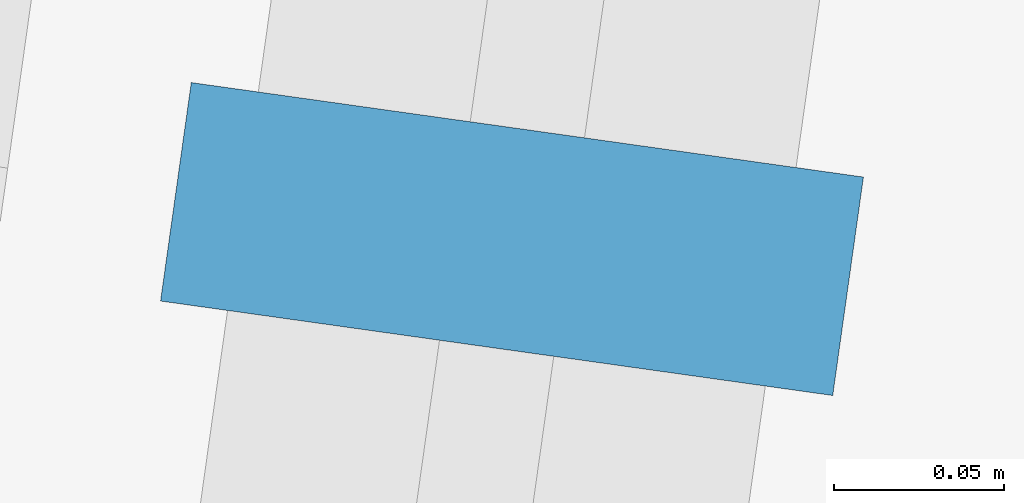
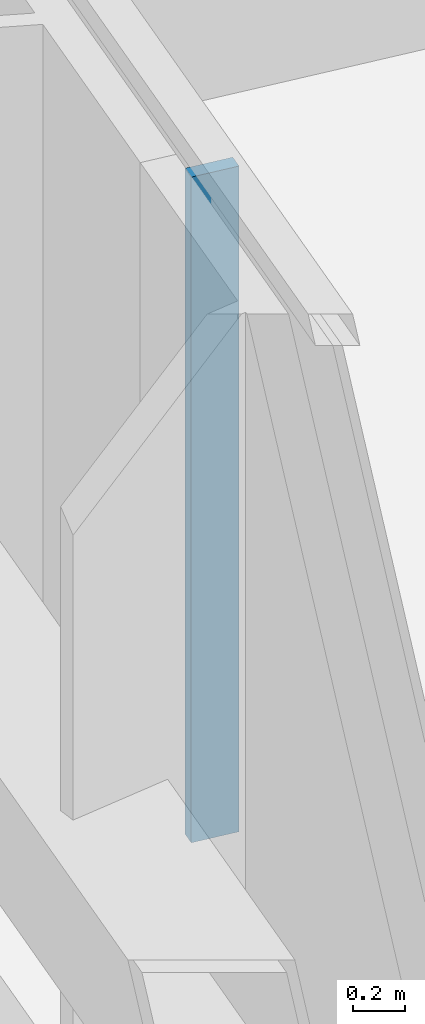
# One storey, part 4 of 26: 1 member, 1 element without a shape of its own.
"""IFC4 building model written with IfcOpenShell, lengths in metres."""

import ifcopenshell
import ifcopenshell.guid

model = None  # the IFC model being written
_history = None  # IfcOwnerHistory: only IFC2X3 demands one
_inside = {}  # id of a spatial element -> (the spatial element, [elements in it])
_under = {}  # id of a project, library or spatial element -> (it, [spatial elements below it])
_declared = {}  # id of a project -> (the project, [libraries it declares])
_typed = {}  # id of a type object -> (the type object, [elements of that type])
_made_of = {}  # id of a material, layer set ... -> (it, [elements and type objects made of it])


def new_model(schema):
    """Start an empty IFC model of exactly this schema.

    Asked for "IFC4X3", IfcOpenShell would pick the latest addendum, in which some entities
    have other attributes; the version numbers below select the first issue.
    IFC2X3 requires an IfcOwnerHistory on every rooted entity: one is made here for all.
    """
    global model, _history
    if schema == "IFC4X3":
        model = ifcopenshell.file(schema_version=(4, 3, 0, 0))
    else:
        model = ifcopenshell.file(schema=schema)
    _inside.clear()
    _under.clear()
    _declared.clear()
    _typed.clear()
    _made_of.clear()
    _history = None
    if model.schema == "IFC2X3":
        org = make("IfcOrganization", Name="unknown")
        user = make(
            "IfcPersonAndOrganization",
            ThePerson=make("IfcPerson", FamilyName="unknown"),
            TheOrganization=org,
        )
        app = make(
            "IfcApplication",
            ApplicationDeveloper=org,
            Version="unknown",
            ApplicationFullName="unknown",
            ApplicationIdentifier="unknown",
        )
        _history = make(
            "IfcOwnerHistory",
            OwningUser=user,
            OwningApplication=app,
            ChangeAction="ADDED",
            CreationDate=0,
        )
    return model


def make(cls, **values):
    """One entity of the class cls with the attributes given. An attribute that is None is left unset."""
    return model.create_entity(
        cls, **{name: value for name, value in values.items() if value is not None}
    )


def rooted(cls, **values):
    """An entity with a GlobalId (a new one), such as an element, a storey or a relation."""
    return make(cls, GlobalId=ifcopenshell.guid.new(), OwnerHistory=_history, **values)


def si_unit(unit_type, name, prefix=None):
    """IfcSIUnit, for example si_unit("LENGTHUNIT", "METRE", prefix="MILLI")."""
    return make("IfcSIUnit", UnitType=unit_type, Prefix=prefix, Name=name)


def assignment(units):
    """IfcUnitAssignment: the units of a project."""
    return None if units is None else make("IfcUnitAssignment", Units=units)


def point(xyz):
    """IfcCartesianPoint."""
    return None if xyz is None else make("IfcCartesianPoint", Coordinates=xyz)


def direction(xyz):
    """IfcDirection."""
    return None if xyz is None else make("IfcDirection", DirectionRatios=xyz)


def frame(location, z_axis=None, x_axis=None):
    """IfcAxis2Placement3D, a coordinate frame: its origin and axes. An axis left out is left unset."""
    return make(
        "IfcAxis2Placement3D",
        Location=point(location),
        Axis=direction(z_axis),
        RefDirection=direction(x_axis),
    )


def frame_2d(location, x_axis=None):
    """IfcAxis2Placement2D, a coordinate frame in the plane: its origin and x axis."""
    return make(
        "IfcAxis2Placement2D", Location=point(location), RefDirection=direction(x_axis)
    )


def origin():
    """The frame at (0, 0, 0) with its axes left unset."""
    return frame((0.0, 0.0, 0.0))


def origin_2d():
    """The frame at (0, 0) in the plane with its x axis left unset."""
    return frame_2d((0.0, 0.0))


def place(relative_to, where):
    """IfcLocalPlacement: puts the frame where relative to a parent placement (None: the world)."""
    return make(
        "IfcLocalPlacement", PlacementRelTo=relative_to, RelativePlacement=where
    )


def context(
    kind, dimensions, precision=None, world=None, true_north=None, identifier=None
):
    """IfcGeometricRepresentationContext, for example the 3D "Model" context."""
    return make(
        "IfcGeometricRepresentationContext",
        ContextIdentifier=identifier,
        ContextType=kind,
        CoordinateSpaceDimension=dimensions,
        Precision=precision,
        WorldCoordinateSystem=world,
        TrueNorth=true_north,
    )


def subcontext(parent, identifier, kind, view, scale=None):
    """IfcGeometricRepresentationSubContext, for example "Body" below "Model"."""
    return make(
        "IfcGeometricRepresentationSubContext",
        ContextIdentifier=identifier,
        ContextType=kind,
        ParentContext=parent,
        TargetScale=scale,
        TargetView=view,
    )


def project(units=None, contexts=None):
    """IfcProject with its units and contexts."""
    return rooted(
        "IfcProject",
        Name="project",
        RepresentationContexts=contexts,
        UnitsInContext=assignment(units),
    )


def spatial(cls, under=None, at=None, **own):
    """A site, building, storey or space (cls), placed at a placement, below another one or the project."""
    s = rooted(cls, ObjectPlacement=at, **own)
    if under is not None:
        _under.setdefault(under.id(), (under, []))[1].append(s)
    return s


def profile(cls, at=None, kind="AREA", **sizes):
    """A parametric profile (cls). Its sizes go by their IFC names, for example OverallWidth=200.0."""
    return make(cls, ProfileType=kind, Position=at, **sizes)


def rectangle(**sizes):
    """IfcRectangleProfileDef."""
    return profile("IfcRectangleProfileDef", **sizes)


def extrude(swept, where, along, depth):
    """IfcExtrudedAreaSolid: the profile swept, set in the frame where, extruded along a direction by depth."""
    return make(
        "IfcExtrudedAreaSolid",
        SweptArea=swept,
        Position=where,
        ExtrudedDirection=direction(along),
        Depth=depth,
    )


def shape(context_of_items, identifier, shape_type, items):
    """IfcShapeRepresentation: the items that make up one representation, for example the "Body"."""
    return make(
        "IfcShapeRepresentation",
        ContextOfItems=context_of_items,
        RepresentationIdentifier=identifier,
        RepresentationType=shape_type,
        Items=items,
    )


def material(Name=None, Category=None):
    """IfcMaterial."""
    return make("IfcMaterial", Name=Name, Category=Category)


def material_profile(
    of_material, cross_section, Name=None, Category=None, Priority=None
):
    """IfcMaterialProfile: a cross section and its material."""
    return make(
        "IfcMaterialProfile",
        Name=Name,
        Material=of_material,
        Profile=cross_section,
        Priority=Priority,
        Category=Category,
    )


def profile_set(profiles, Name=None, composite=None):
    """IfcMaterialProfileSet."""
    return make(
        "IfcMaterialProfileSet",
        Name=Name,
        MaterialProfiles=profiles,
        CompositeProfile=composite,
    )


def made_of(thing, what):
    """Note that an element or type object is made of a material, layer set ...; save() writes the relation."""
    if what is not None:
        _made_of.setdefault(what.id(), (what, []))[1].append(thing)
    return thing


def type_object(cls, material=None, **own):
    """A type object (cls), such as IfcWallType, which elements share."""
    return made_of(rooted(cls, **own), material)


def element(
    cls,
    number,
    at=None,
    inside=None,
    cuts=None,
    type_object=None,
    material=None,
    context=None,
    identifier="Body",
    shape_type=None,
    held_by="IfcProductDefinitionShape",
    body=None,
    shapes=None,
    **own,
):
    """One element of the class cls, such as IfcWall. Its Tag is "e" and its number.

    at: its placement. inside: the storey or other place that contains it. cuts: it is an
    opening in that element (IfcRelVoidsElement). A single representation is given by context,
    identifier, shape_type and body (its items); several are given by shapes. held_by: the class
    of the entity that holds the representations. save() writes the other relations.
    """
    e = rooted(cls, Tag="e%d" % number, ObjectPlacement=at, **own)
    if body is not None:
        shapes = [shape(context, identifier, shape_type, body)]
    if shapes is not None:
        e.Representation = make(held_by, Representations=shapes)
    if inside is not None:
        _inside.setdefault(inside.id(), (inside, []))[1].append(e)
    if cuts is not None:
        rooted(
            "IfcRelVoidsElement", RelatingBuildingElement=cuts, RelatedOpeningElement=e
        )
    if type_object is not None:
        _typed.setdefault(type_object.id(), (type_object, []))[1].append(e)
    return made_of(e, material)


def aggregate(whole, parts):
    """IfcRelAggregates: a whole, such as a stair, and the parts it consists of."""
    return rooted("IfcRelAggregates", RelatingObject=whole, RelatedObjects=parts)


def save(model, path):
    """Write the relations noted so far, then the file.

    IfcRelAggregates (storeys below a building ...), IfcRelContainedInSpatialStructure (elements
    in a storey), IfcRelDefinesByType, IfcRelAssociatesMaterial and IfcRelDeclares: one each for
    every whole, place, type object, material and project.
    """
    for whole, parts in _under.values():
        aggregate(whole, parts)
    for where, things in _inside.values():
        rooted(
            "IfcRelContainedInSpatialStructure",
            RelatedElements=things,
            RelatingStructure=where,
        )
    for kind, things in _typed.values():
        rooted("IfcRelDefinesByType", RelatedObjects=things, RelatingType=kind)
    for what, things in _made_of.values():
        rooted("IfcRelAssociatesMaterial", RelatedObjects=things, RelatingMaterial=what)
    for by, libraries in _declared.values():
        rooted("IfcRelDeclares", RelatingContext=by, RelatedDefinitions=libraries)
    model.write(path)


model = new_model("IFC4")

# Units and contexts
model_context = context("Model", 3, precision=1e-05, world=origin(), true_north=direction((0.0, 1.0)))
body_context = subcontext(model_context, "Body", "Model", "MODEL_VIEW")
ifc_project = project(units=[si_unit("LENGTHUNIT", "METRE"), si_unit("AREAUNIT", "SQUARE_METRE"), si_unit("VOLUMEUNIT", "CUBIC_METRE"), si_unit("PLANEANGLEUNIT", "RADIAN"), si_unit("MASSUNIT", "GRAM", prefix="KILO")], contexts=[model_context])

# Site, building, storey
site_placement = place(None, origin())
site = spatial("IfcSite", under=ifc_project, at=site_placement, CompositionType="ELEMENT")
building_placement = place(site_placement, origin())
building = spatial("IfcBuilding", under=site, at=building_placement, Name="Mirante Cascada Hotel Towers", CompositionType="ELEMENT")
storey_placement = place(building_placement, frame((0.0, 0.0, 228.0)))
storey = spatial("IfcBuildingStorey", under=building, at=storey_placement, Name="L54", CompositionType="ELEMENT", Elevation=228.0)

# Curtain wall, member
ifc_material_1 = material(Name="Aluminium mullion and transom frame with clear laminated glass", Category="aluminium")
curtain_wall_type = type_object("IfcCurtainWallType", Name="End ribbon curtain wall ECW2", PredefinedType="NOTDEFINED", material=ifc_material_1)
curtain_wall_placement = place(storey_placement, origin())
curtain_wall = element("IfcCurtainWall", 1, at=curtain_wall_placement, inside=storey, type_object=curtain_wall_type, Name="Outer end wall T1 L54", PredefinedType="NOTDEFINED")
ifc_material_2 = material(Name="Anodised aluminium extrusion", Category="aluminium")
ifc_material_profile = material_profile(ifc_material_2, rectangle(XDim=0.2, YDim=0.065, at=origin_2d()), Name="ECW2 MULLION 65x200")
ifc_profile_set = profile_set([ifc_material_profile], Name="Anodised aluminium extrusion")
member_type = type_object("IfcMemberType", Name="ECW2 mullion 65x200", PredefinedType="MULLION", material=ifc_profile_set)
member_placement = place(storey_placement, frame((-74.4135, 4.2419, 0.1), z_axis=(0.0, 0.0, 1.0), x_axis=(-0.9902681, 0.1391731, 0.0)))
member = element("IfcMember", 2, at=member_placement, type_object=member_type, Name="ECW2 mullion 4", PredefinedType="MULLION", context=body_context, shape_type="SweptSolid", body=[
    extrude(rectangle(XDim=0.2, YDim=0.065, at=origin_2d()), origin(), (0.0, 0.0, 1.0), 3.15),
])
aggregate(curtain_wall, [member])

save(model, "model.ifc")
